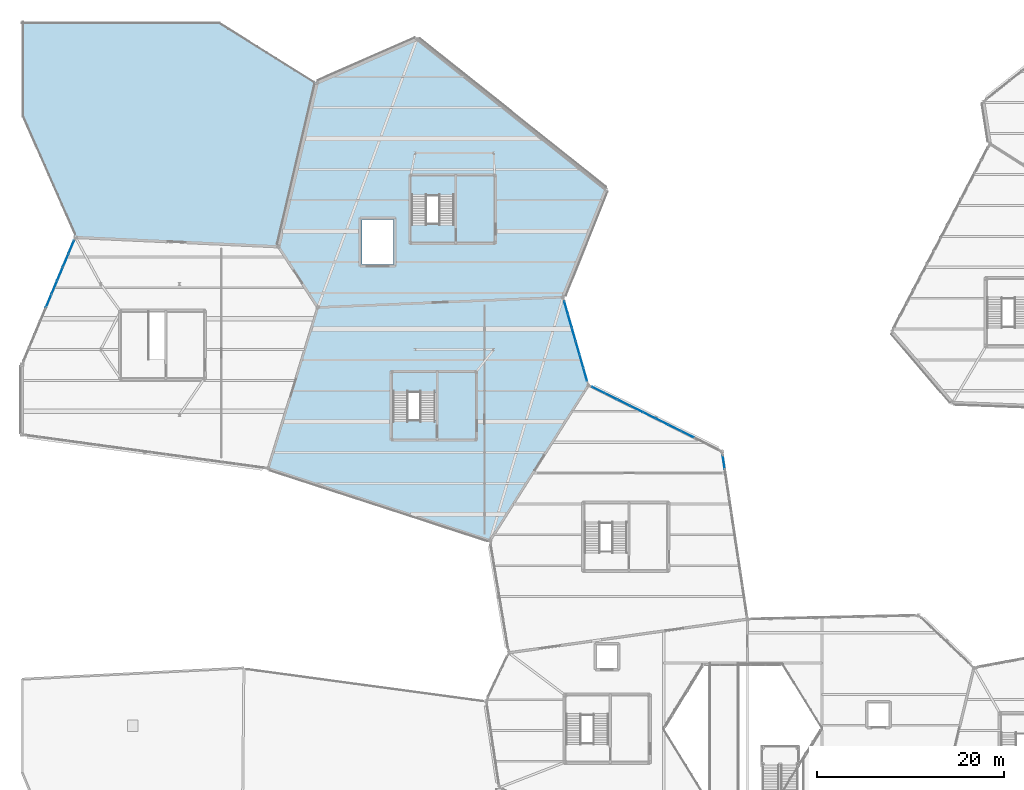
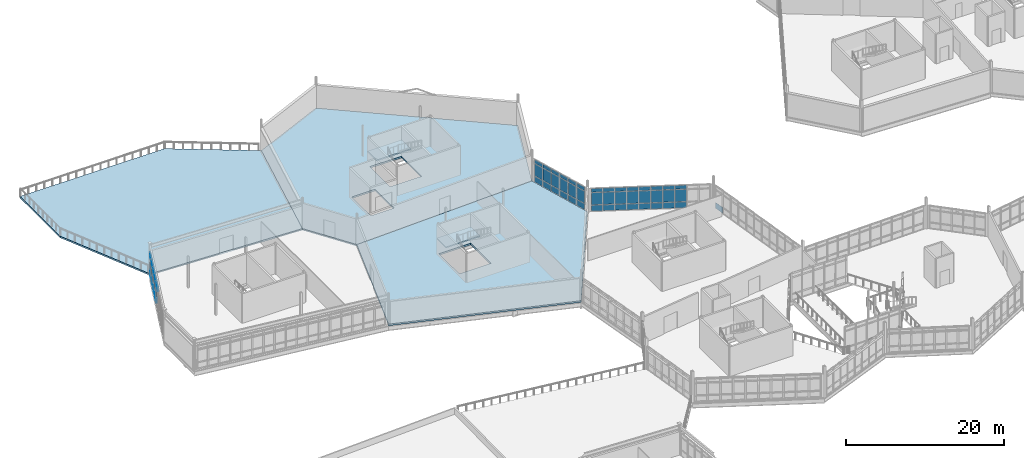
# One storey, part 77 of 114: 56 plates, 5 slabs, 6 elements without a shape of their own.
"""IFC4 building model written with IfcOpenShell, lengths in metres."""

from ifc_helpers import new_model, si_unit, direction, frame, origin, origin_2d, place, context, subcontext, project, spatial, polyline, rectangle, outline, extrude, material, layer, layer_set, type_object, element, aggregate, save


model = new_model("IFC4")

# Units and contexts
model_context = context("Model", 3, precision=1e-05, world=origin(), true_north=direction((0.0, 1.0)))
body_context = subcontext(model_context, "Body", "Model", "MODEL_VIEW")
ifc_project = project(units=[si_unit("LENGTHUNIT", "METRE"), si_unit("AREAUNIT", "SQUARE_METRE"), si_unit("VOLUMEUNIT", "CUBIC_METRE"), si_unit("PLANEANGLEUNIT", "RADIAN"), si_unit("MASSUNIT", "GRAM", prefix="KILO")], contexts=[model_context])

# Site, building, storey
site_placement = place(None, origin())
site = spatial("IfcSite", under=ifc_project, at=site_placement, CompositionType="ELEMENT")
building_placement = place(site_placement, origin())
building = spatial("IfcBuilding", under=site, at=building_placement, Name="Tameran Prism Museum", CompositionType="ELEMENT")
storey_placement = place(building_placement, frame((0.0, 0.0, 10.199951171875)))
storey = spatial("IfcBuildingStorey", under=building, at=storey_placement, Name="L02", CompositionType="ELEMENT", Elevation=10.199951171875)

# Curtain wall, plate
ifc_material_1 = material(Name="Anodised Aluminium 6063-T6 and Cyclone Solar Glass", Category="aluminium")
curtain_wall_type_1 = type_object("IfcCurtainWallType", Name="CW-FAC-1734x362", PredefinedType="USERDEFINED", material=ifc_material_1)
curtain_wall_1_placement = place(storey_placement, origin())
curtain_wall_1 = element("IfcCurtainWall", 1, at=curtain_wall_1_placement, inside=storey, type_object=curtain_wall_type_1, Name="Unitised Curtain Wall CW-114", ObjectType="UNITISED CURTAIN WALL", PredefinedType="USERDEFINED")
ifc_material_2 = material(Name="Low-E Laminated Solar Glass", Category="glass")
ifc_layer_1 = layer(ifc_material_2, 0.028076171875)
ifc_layer_set_1 = layer_set([ifc_layer_1])
plate_type_1 = type_object("IfcPlateType", Name="CW-PNL-G28", PredefinedType="CURTAIN_PANEL", material=ifc_layer_set_1)
plate_1_placement = place(storey_placement, frame((74.97265625, 64.954833984375, 0.080078125), z_axis=(0.0, 0.0, 1.0), x_axis=(0.149166532852, -0.988812088052, 0.0)))
plate_1 = element("IfcPlate", 2, at=plate_1_placement, type_object=plate_type_1, Name="CW-114 panel 1.1", PredefinedType="CURTAIN_PANEL", context=body_context, shape_type="SweptSolid", body=[
    extrude(rectangle(XDim=1.45654296875, YDim=0.028076171875, at=origin_2d()), origin(), (0.0, 0.0, 1.0), 0.8798828125),
])
aggregate(curtain_wall_1, [plate_1])

# Curtain wall, plates
ifc_material_3 = material(Name="Anodised Aluminium 6063-T6 and Cyclone Solar Glass", Category="aluminium")
curtain_wall_type_2 = type_object("IfcCurtainWallType", Name="CW-FAC-1520x362", PredefinedType="USERDEFINED", material=ifc_material_3)
curtain_wall_2_placement = place(storey_placement, origin())
curtain_wall_2 = element("IfcCurtainWall", 3, at=curtain_wall_2_placement, inside=storey, type_object=curtain_wall_type_2, Name="Unitised Curtain Wall CW-115", ObjectType="UNITISED CURTAIN WALL", PredefinedType="USERDEFINED")
ifc_material_4 = material(Name="Cyclone Laminated Solar Glass", Category="glass")
ifc_layer_2 = layer(ifc_material_4, 0.031982421875)
ifc_layer_set_2 = layer_set([ifc_layer_2])
plate_type_2 = type_object("IfcPlateType", Name="CW-PNL-G32", PredefinedType="CURTAIN_PANEL", material=ifc_layer_set_2)
plate_2_placement = place(storey_placement, frame((61.5625, 72.671630859375, 0.06494140625), z_axis=(0.0, 0.0, 1.0), x_axis=(0.895712459966, -0.444633769593, 0.0)))
plate_2 = element("IfcPlate", 4, at=plate_2_placement, type_object=plate_type_2, Name="CW-115 panel 1.1", PredefinedType="CURTAIN_PANEL", context=body_context, shape_type="SweptSolid", body=[
    extrude(rectangle(XDim=1.423095703125, YDim=0.031982421875, at=origin_2d()), origin(), (0.0, 0.0, 1.0), 0.902587890625),
])
plate_3_placement = place(storey_placement, frame((61.5625, 72.671630859375, 1.032470703125), z_axis=(0.0, 0.0, 1.0), x_axis=(0.895712459966, -0.444633769593, 0.0)))
plate_3 = element("IfcPlate", 5, at=plate_3_placement, type_object=plate_type_2, Name="CW-115 panel 1.2", PredefinedType="CURTAIN_PANEL", context=body_context, shape_type="SweptSolid", body=[
    extrude(rectangle(XDim=1.423095703125, YDim=0.031982421875, at=origin_2d()), origin(), (0.0, 0.0, 1.0), 1.875),
])
plate_4_placement = place(storey_placement, frame((61.5625, 72.671630859375, 2.97265625), z_axis=(0.0, 0.0, 1.0), x_axis=(0.895712459966, -0.444633769593, 0.0)))
plate_4 = element("IfcPlate", 6, at=plate_4_placement, type_object=plate_type_2, Name="CW-115 panel 1.3", PredefinedType="CURTAIN_PANEL", context=body_context, shape_type="SweptSolid", body=[
    extrude(rectangle(XDim=1.423095703125, YDim=0.031982421875, at=origin_2d()), origin(), (0.0, 0.0, 1.0), 0.58251953125),
])
plate_5_placement = place(storey_placement, frame((62.909912109375, 72.0029296875, 0.06494140625), z_axis=(0.0, 0.0, 1.0), x_axis=(0.895712459966, -0.444633769593, 0.0)))
plate_5 = element("IfcPlate", 7, at=plate_5_placement, type_object=plate_type_2, Name="CW-115 panel 2.1", PredefinedType="CURTAIN_PANEL", context=body_context, shape_type="SweptSolid", body=[
    extrude(rectangle(XDim=1.45556640625, YDim=0.031982421875, at=origin_2d()), origin(), (0.0, 0.0, 1.0), 0.902587890625),
])
plate_6_placement = place(storey_placement, frame((62.909912109375, 72.0029296875, 1.032470703125), z_axis=(0.0, 0.0, 1.0), x_axis=(0.895712459966, -0.444633769593, 0.0)))
plate_6 = element("IfcPlate", 8, at=plate_6_placement, type_object=plate_type_2, Name="CW-115 panel 2.2", PredefinedType="CURTAIN_PANEL", context=body_context, shape_type="SweptSolid", body=[
    extrude(rectangle(XDim=1.45556640625, YDim=0.031982421875, at=origin_2d()), origin(), (0.0, 0.0, 1.0), 1.875),
])
plate_7_placement = place(storey_placement, frame((62.909912109375, 72.0029296875, 2.97265625), z_axis=(0.0, 0.0, 1.0), x_axis=(0.895712459966, -0.444633769593, 0.0)))
plate_7 = element("IfcPlate", 9, at=plate_7_placement, type_object=plate_type_2, Name="CW-115 panel 2.3", PredefinedType="CURTAIN_PANEL", context=body_context, shape_type="SweptSolid", body=[
    extrude(rectangle(XDim=1.45556640625, YDim=0.031982421875, at=origin_2d()), origin(), (0.0, 0.0, 1.0), 0.58251953125),
])
plate_8_placement = place(storey_placement, frame((64.27197265625, 71.32666015625, 0.06494140625), z_axis=(0.0, 0.0, 1.0), x_axis=(0.895712459966, -0.444633769593, 0.0)))
plate_8 = element("IfcPlate", 10, at=plate_8_placement, type_object=plate_type_2, Name="CW-115 panel 3.1", PredefinedType="CURTAIN_PANEL", context=body_context, shape_type="SweptSolid", body=[
    extrude(rectangle(XDim=1.45556640625, YDim=0.031982421875, at=origin_2d()), origin(), (0.0, 0.0, 1.0), 0.902587890625),
])
plate_9_placement = place(storey_placement, frame((64.27197265625, 71.32666015625, 1.032470703125), z_axis=(0.0, 0.0, 1.0), x_axis=(0.895712459966, -0.444633769593, 0.0)))
plate_9 = element("IfcPlate", 11, at=plate_9_placement, type_object=plate_type_2, Name="CW-115 panel 3.2", PredefinedType="CURTAIN_PANEL", context=body_context, shape_type="SweptSolid", body=[
    extrude(rectangle(XDim=1.45556640625, YDim=0.031982421875, at=origin_2d()), origin(), (0.0, 0.0, 1.0), 1.875),
])
plate_10_placement = place(storey_placement, frame((64.27197265625, 71.32666015625, 2.97265625), z_axis=(0.0, 0.0, 1.0), x_axis=(0.895712459966, -0.444633769593, 0.0)))
plate_10 = element("IfcPlate", 12, at=plate_10_placement, type_object=plate_type_2, Name="CW-115 panel 3.3", PredefinedType="CURTAIN_PANEL", context=body_context, shape_type="SweptSolid", body=[
    extrude(rectangle(XDim=1.45556640625, YDim=0.031982421875, at=origin_2d()), origin(), (0.0, 0.0, 1.0), 0.58251953125),
])
plate_11_placement = place(storey_placement, frame((65.634033203125, 70.650634765625, 0.06494140625), z_axis=(0.0, 0.0, 1.0), x_axis=(0.895712459966, -0.444633769593, 0.0)))
plate_11 = element("IfcPlate", 13, at=plate_11_placement, type_object=plate_type_2, Name="CW-115 panel 4.1", PredefinedType="CURTAIN_PANEL", context=body_context, shape_type="SweptSolid", body=[
    extrude(rectangle(XDim=1.45556640625, YDim=0.031982421875, at=origin_2d()), origin(), (0.0, 0.0, 1.0), 0.902587890625),
])
plate_12_placement = place(storey_placement, frame((65.634033203125, 70.650634765625, 1.032470703125), z_axis=(0.0, 0.0, 1.0), x_axis=(0.895712459966, -0.444633769593, 0.0)))
plate_12 = element("IfcPlate", 14, at=plate_12_placement, type_object=plate_type_2, Name="CW-115 panel 4.2", PredefinedType="CURTAIN_PANEL", context=body_context, shape_type="SweptSolid", body=[
    extrude(rectangle(XDim=1.45556640625, YDim=0.031982421875, at=origin_2d()), origin(), (0.0, 0.0, 1.0), 1.875),
])
plate_13_placement = place(storey_placement, frame((65.634033203125, 70.650634765625, 2.97265625), z_axis=(0.0, 0.0, 1.0), x_axis=(0.895712459966, -0.444633769593, 0.0)))
plate_13 = element("IfcPlate", 15, at=plate_13_placement, type_object=plate_type_2, Name="CW-115 panel 4.3", PredefinedType="CURTAIN_PANEL", context=body_context, shape_type="SweptSolid", body=[
    extrude(rectangle(XDim=1.45556640625, YDim=0.031982421875, at=origin_2d()), origin(), (0.0, 0.0, 1.0), 0.58251953125),
])
plate_14_placement = place(storey_placement, frame((66.99609375, 69.974609375, 0.06494140625), z_axis=(0.0, 0.0, 1.0), x_axis=(0.895712459966, -0.444633769593, 0.0)))
plate_14 = element("IfcPlate", 16, at=plate_14_placement, type_object=plate_type_2, Name="CW-115 panel 5.1", PredefinedType="CURTAIN_PANEL", context=body_context, shape_type="SweptSolid", body=[
    extrude(rectangle(XDim=1.45556640625, YDim=0.031982421875, at=origin_2d()), origin(), (0.0, 0.0, 1.0), 0.902587890625),
])
plate_15_placement = place(storey_placement, frame((66.99609375, 69.974609375, 1.032470703125), z_axis=(0.0, 0.0, 1.0), x_axis=(0.895712459966, -0.444633769593, 0.0)))
plate_15 = element("IfcPlate", 17, at=plate_15_placement, type_object=plate_type_2, Name="CW-115 panel 5.2", PredefinedType="CURTAIN_PANEL", context=body_context, shape_type="SweptSolid", body=[
    extrude(rectangle(XDim=1.45556640625, YDim=0.031982421875, at=origin_2d()), origin(), (0.0, 0.0, 1.0), 1.875),
])
plate_16_placement = place(storey_placement, frame((66.99609375, 69.974609375, 2.97265625), z_axis=(0.0, 0.0, 1.0), x_axis=(0.895712459966, -0.444633769593, 0.0)))
plate_16 = element("IfcPlate", 18, at=plate_16_placement, type_object=plate_type_2, Name="CW-115 panel 5.3", PredefinedType="CURTAIN_PANEL", context=body_context, shape_type="SweptSolid", body=[
    extrude(rectangle(XDim=1.45556640625, YDim=0.031982421875, at=origin_2d()), origin(), (0.0, 0.0, 1.0), 0.58251953125),
])
plate_17_placement = place(storey_placement, frame((68.35791015625, 69.29833984375, 0.06494140625), z_axis=(0.0, 0.0, 1.0), x_axis=(0.895712459966, -0.444633769593, 0.0)))
plate_17 = element("IfcPlate", 19, at=plate_17_placement, type_object=plate_type_2, Name="CW-115 panel 6.1", PredefinedType="CURTAIN_PANEL", context=body_context, shape_type="SweptSolid", body=[
    extrude(rectangle(XDim=1.45556640625, YDim=0.031982421875, at=origin_2d()), origin(), (0.0, 0.0, 1.0), 0.902587890625),
])
plate_18_placement = place(storey_placement, frame((68.35791015625, 69.29833984375, 1.032470703125), z_axis=(0.0, 0.0, 1.0), x_axis=(0.895712459966, -0.444633769593, 0.0)))
plate_18 = element("IfcPlate", 20, at=plate_18_placement, type_object=plate_type_2, Name="CW-115 panel 6.2", PredefinedType="CURTAIN_PANEL", context=body_context, shape_type="SweptSolid", body=[
    extrude(rectangle(XDim=1.45556640625, YDim=0.031982421875, at=origin_2d()), origin(), (0.0, 0.0, 1.0), 1.875),
])
plate_19_placement = place(storey_placement, frame((68.35791015625, 69.29833984375, 2.97265625), z_axis=(0.0, 0.0, 1.0), x_axis=(0.895712459966, -0.444633769593, 0.0)))
plate_19 = element("IfcPlate", 21, at=plate_19_placement, type_object=plate_type_2, Name="CW-115 panel 6.3", PredefinedType="CURTAIN_PANEL", context=body_context, shape_type="SweptSolid", body=[
    extrude(rectangle(XDim=1.45556640625, YDim=0.031982421875, at=origin_2d()), origin(), (0.0, 0.0, 1.0), 0.58251953125),
])
plate_20_placement = place(storey_placement, frame((69.719970703125, 68.622314453125, 0.06494140625), z_axis=(0.0, 0.0, 1.0), x_axis=(0.895712459966, -0.444633769593, 0.0)))
plate_20 = element("IfcPlate", 22, at=plate_20_placement, type_object=plate_type_2, Name="CW-115 panel 7.1", PredefinedType="CURTAIN_PANEL", context=body_context, shape_type="SweptSolid", body=[
    extrude(rectangle(XDim=1.45556640625, YDim=0.031982421875, at=origin_2d()), origin(), (0.0, 0.0, 1.0), 0.902587890625),
])
plate_21_placement = place(storey_placement, frame((69.719970703125, 68.622314453125, 1.032470703125), z_axis=(0.0, 0.0, 1.0), x_axis=(0.895712459966, -0.444633769593, 0.0)))
plate_21 = element("IfcPlate", 23, at=plate_21_placement, type_object=plate_type_2, Name="CW-115 panel 7.2", PredefinedType="CURTAIN_PANEL", context=body_context, shape_type="SweptSolid", body=[
    extrude(rectangle(XDim=1.45556640625, YDim=0.031982421875, at=origin_2d()), origin(), (0.0, 0.0, 1.0), 1.875),
])
plate_22_placement = place(storey_placement, frame((69.719970703125, 68.622314453125, 2.97265625), z_axis=(0.0, 0.0, 1.0), x_axis=(0.895712459966, -0.444633769593, 0.0)))
plate_22 = element("IfcPlate", 24, at=plate_22_placement, type_object=plate_type_2, Name="CW-115 panel 7.3", PredefinedType="CURTAIN_PANEL", context=body_context, shape_type="SweptSolid", body=[
    extrude(rectangle(XDim=1.45556640625, YDim=0.031982421875, at=origin_2d()), origin(), (0.0, 0.0, 1.0), 0.58251953125),
])
plate_23_placement = place(storey_placement, frame((71.08203125, 67.9462890625, 0.06494140625), z_axis=(0.0, 0.0, 1.0), x_axis=(0.895712459966, -0.444633769593, 0.0)))
plate_23 = element("IfcPlate", 25, at=plate_23_placement, type_object=plate_type_2, Name="CW-115 panel 8.1", PredefinedType="CURTAIN_PANEL", context=body_context, shape_type="SweptSolid", body=[
    extrude(rectangle(XDim=1.45556640625, YDim=0.031982421875, at=origin_2d()), origin(), (0.0, 0.0, 1.0), 0.902587890625),
])
plate_24_placement = place(storey_placement, frame((71.08203125, 67.9462890625, 1.032470703125), z_axis=(0.0, 0.0, 1.0), x_axis=(0.895712459966, -0.444633769593, 0.0)))
plate_24 = element("IfcPlate", 26, at=plate_24_placement, type_object=plate_type_2, Name="CW-115 panel 8.2", PredefinedType="CURTAIN_PANEL", context=body_context, shape_type="SweptSolid", body=[
    extrude(rectangle(XDim=1.45556640625, YDim=0.031982421875, at=origin_2d()), origin(), (0.0, 0.0, 1.0), 1.875),
])
plate_25_placement = place(storey_placement, frame((71.08203125, 67.9462890625, 2.97265625), z_axis=(0.0, 0.0, 1.0), x_axis=(0.895712459966, -0.444633769593, 0.0)))
plate_25 = element("IfcPlate", 27, at=plate_25_placement, type_object=plate_type_2, Name="CW-115 panel 8.3", PredefinedType="CURTAIN_PANEL", context=body_context, shape_type="SweptSolid", body=[
    extrude(rectangle(XDim=1.45556640625, YDim=0.031982421875, at=origin_2d()), origin(), (0.0, 0.0, 1.0), 0.58251953125),
])
aggregate(curtain_wall_2, [plate_2, plate_3, plate_4, plate_5, plate_6, plate_7, plate_8, plate_9, plate_10, plate_11, plate_12, plate_13, plate_14, plate_15, plate_16, plate_17, plate_18, plate_19, plate_20, plate_21, plate_22, plate_23, plate_24, plate_25])

ifc_material_5 = material(Name="Anodised Aluminium 6063-T6 and Cyclone Solar Glass", Category="aluminium")
curtain_wall_type_3 = type_object("IfcCurtainWallType", Name="CW-FAC-896x362", PredefinedType="USERDEFINED", material=ifc_material_5)
curtain_wall_3_placement = place(storey_placement, origin())
curtain_wall_3 = element("IfcCurtainWall", 28, at=curtain_wall_3_placement, inside=storey, type_object=curtain_wall_type_3, Name="Unitised Curtain Wall CW-124", ObjectType="UNITISED CURTAIN WALL", PredefinedType="USERDEFINED")
plate_26_placement = place(storey_placement, frame((58.124755859375, 81.471435546875, 0.070068359375), z_axis=(0.0, 0.0, 1.0), x_axis=(0.275900197941, -0.961186288279, 0.0)))
plate_26 = element("IfcPlate", 29, at=plate_26_placement, type_object=plate_type_2, Name="CW-124 panel 1.1", PredefinedType="CURTAIN_PANEL", context=body_context, shape_type="SweptSolid", body=[
    extrude(rectangle(XDim=1.38818359375, YDim=0.031982421875, at=origin_2d()), origin(), (0.0, 0.0, 1.0), 0.89501953125),
])
plate_27_placement = place(storey_placement, frame((58.124755859375, 81.471435546875, 1.034912109375), z_axis=(0.0, 0.0, 1.0), x_axis=(0.275900197941, -0.961186288279, 0.0)))
plate_27 = element("IfcPlate", 30, at=plate_27_placement, type_object=plate_type_2, Name="CW-124 panel 1.2", PredefinedType="CURTAIN_PANEL", context=body_context, shape_type="SweptSolid", body=[
    extrude(rectangle(XDim=1.38818359375, YDim=0.031982421875, at=origin_2d()), origin(), (0.0, 0.0, 1.0), 1.8701171875),
])
plate_28_placement = place(storey_placement, frame((58.124755859375, 81.471435546875, 2.97509765625), z_axis=(0.0, 0.0, 1.0), x_axis=(0.275900197941, -0.961186288279, 0.0)))
plate_28 = element("IfcPlate", 31, at=plate_28_placement, type_object=plate_type_2, Name="CW-124 panel 1.3", PredefinedType="CURTAIN_PANEL", context=body_context, shape_type="SweptSolid", body=[
    extrude(rectangle(XDim=1.38818359375, YDim=0.031982421875, at=origin_2d()), origin(), (0.0, 0.0, 1.0), 0.574951171875),
])
plate_29_placement = place(storey_placement, frame((58.531982421875, 80.052978515625, 0.070068359375), z_axis=(0.0, 0.0, 1.0), x_axis=(0.275900197941, -0.961186288279, 0.0)))
plate_29 = element("IfcPlate", 32, at=plate_29_placement, type_object=plate_type_2, Name="CW-124 panel 2.1", PredefinedType="CURTAIN_PANEL", context=body_context, shape_type="SweptSolid", body=[
    extrude(rectangle(XDim=1.42333984375, YDim=0.031982421875, at=origin_2d()), origin(), (0.0, 0.0, 1.0), 0.89501953125),
])
plate_30_placement = place(storey_placement, frame((58.531982421875, 80.052978515625, 1.034912109375), z_axis=(0.0, 0.0, 1.0), x_axis=(0.275900197941, -0.961186288279, 0.0)))
plate_30 = element("IfcPlate", 33, at=plate_30_placement, type_object=plate_type_2, Name="CW-124 panel 2.2", PredefinedType="CURTAIN_PANEL", context=body_context, shape_type="SweptSolid", body=[
    extrude(rectangle(XDim=1.42333984375, YDim=0.031982421875, at=origin_2d()), origin(), (0.0, 0.0, 1.0), 1.8701171875),
])
plate_31_placement = place(storey_placement, frame((58.531982421875, 80.052978515625, 2.97509765625), z_axis=(0.0, 0.0, 1.0), x_axis=(0.275900197941, -0.961186288279, 0.0)))
plate_31 = element("IfcPlate", 34, at=plate_31_placement, type_object=plate_type_2, Name="CW-124 panel 2.3", PredefinedType="CURTAIN_PANEL", context=body_context, shape_type="SweptSolid", body=[
    extrude(rectangle(XDim=1.42333984375, YDim=0.031982421875, at=origin_2d()), origin(), (0.0, 0.0, 1.0), 0.574951171875),
])
plate_32_placement = place(storey_placement, frame((58.944091796875, 78.61767578125, 0.070068359375), z_axis=(0.0, 0.0, 1.0), x_axis=(0.275900197941, -0.961186288279, 0.0)))
plate_32 = element("IfcPlate", 35, at=plate_32_placement, type_object=plate_type_2, Name="CW-124 panel 3.1", PredefinedType="CURTAIN_PANEL", context=body_context, shape_type="SweptSolid", body=[
    extrude(rectangle(XDim=1.42333984375, YDim=0.031982421875, at=origin_2d()), origin(), (0.0, 0.0, 1.0), 0.89501953125),
])
plate_33_placement = place(storey_placement, frame((58.944091796875, 78.61767578125, 1.034912109375), z_axis=(0.0, 0.0, 1.0), x_axis=(0.275900197941, -0.961186288279, 0.0)))
plate_33 = element("IfcPlate", 36, at=plate_33_placement, type_object=plate_type_2, Name="CW-124 panel 3.2", PredefinedType="CURTAIN_PANEL", context=body_context, shape_type="SweptSolid", body=[
    extrude(rectangle(XDim=1.42333984375, YDim=0.031982421875, at=origin_2d()), origin(), (0.0, 0.0, 1.0), 1.8701171875),
])
plate_34_placement = place(storey_placement, frame((58.944091796875, 78.61767578125, 2.97509765625), z_axis=(0.0, 0.0, 1.0), x_axis=(0.275900197941, -0.961186288279, 0.0)))
plate_34 = element("IfcPlate", 37, at=plate_34_placement, type_object=plate_type_2, Name="CW-124 panel 3.3", PredefinedType="CURTAIN_PANEL", context=body_context, shape_type="SweptSolid", body=[
    extrude(rectangle(XDim=1.42333984375, YDim=0.031982421875, at=origin_2d()), origin(), (0.0, 0.0, 1.0), 0.574951171875),
])
plate_35_placement = place(storey_placement, frame((59.35595703125, 77.182373046875, 0.070068359375), z_axis=(0.0, 0.0, 1.0), x_axis=(0.275900197941, -0.961186288279, 0.0)))
plate_35 = element("IfcPlate", 38, at=plate_35_placement, type_object=plate_type_2, Name="CW-124 panel 4.1", PredefinedType="CURTAIN_PANEL", context=body_context, shape_type="SweptSolid", body=[
    extrude(rectangle(XDim=1.42333984375, YDim=0.031982421875, at=origin_2d()), origin(), (0.0, 0.0, 1.0), 0.89501953125),
])
plate_36_placement = place(storey_placement, frame((59.35595703125, 77.182373046875, 1.034912109375), z_axis=(0.0, 0.0, 1.0), x_axis=(0.275900197941, -0.961186288279, 0.0)))
plate_36 = element("IfcPlate", 39, at=plate_36_placement, type_object=plate_type_2, Name="CW-124 panel 4.2", PredefinedType="CURTAIN_PANEL", context=body_context, shape_type="SweptSolid", body=[
    extrude(rectangle(XDim=1.42333984375, YDim=0.031982421875, at=origin_2d()), origin(), (0.0, 0.0, 1.0), 1.8701171875),
])
plate_37_placement = place(storey_placement, frame((59.35595703125, 77.182373046875, 2.97509765625), z_axis=(0.0, 0.0, 1.0), x_axis=(0.275900197941, -0.961186288279, 0.0)))
plate_37 = element("IfcPlate", 40, at=plate_37_placement, type_object=plate_type_2, Name="CW-124 panel 4.3", PredefinedType="CURTAIN_PANEL", context=body_context, shape_type="SweptSolid", body=[
    extrude(rectangle(XDim=1.42333984375, YDim=0.031982421875, at=origin_2d()), origin(), (0.0, 0.0, 1.0), 0.574951171875),
])
plate_38_placement = place(storey_placement, frame((59.76806640625, 75.7470703125, 0.070068359375), z_axis=(0.0, 0.0, 1.0), x_axis=(0.275900197941, -0.961186288279, 0.0)))
plate_38 = element("IfcPlate", 41, at=plate_38_placement, type_object=plate_type_2, Name="CW-124 panel 5.1", PredefinedType="CURTAIN_PANEL", context=body_context, shape_type="SweptSolid", body=[
    extrude(rectangle(XDim=1.42333984375, YDim=0.031982421875, at=origin_2d()), origin(), (0.0, 0.0, 1.0), 0.89501953125),
])
plate_39_placement = place(storey_placement, frame((59.76806640625, 75.7470703125, 1.034912109375), z_axis=(0.0, 0.0, 1.0), x_axis=(0.275900197941, -0.961186288279, 0.0)))
plate_39 = element("IfcPlate", 42, at=plate_39_placement, type_object=plate_type_2, Name="CW-124 panel 5.2", PredefinedType="CURTAIN_PANEL", context=body_context, shape_type="SweptSolid", body=[
    extrude(rectangle(XDim=1.42333984375, YDim=0.031982421875, at=origin_2d()), origin(), (0.0, 0.0, 1.0), 1.8701171875),
])
plate_40_placement = place(storey_placement, frame((59.76806640625, 75.7470703125, 2.97509765625), z_axis=(0.0, 0.0, 1.0), x_axis=(0.275900197941, -0.961186288279, 0.0)))
plate_40 = element("IfcPlate", 43, at=plate_40_placement, type_object=plate_type_2, Name="CW-124 panel 5.3", PredefinedType="CURTAIN_PANEL", context=body_context, shape_type="SweptSolid", body=[
    extrude(rectangle(XDim=1.42333984375, YDim=0.031982421875, at=origin_2d()), origin(), (0.0, 0.0, 1.0), 0.574951171875),
])
plate_41_placement = place(storey_placement, frame((60.17529296875, 74.328369140625, 0.070068359375), z_axis=(0.0, 0.0, 1.0), x_axis=(0.275900197941, -0.961186288279, 0.0)))
plate_41 = element("IfcPlate", 44, at=plate_41_placement, type_object=plate_type_2, Name="CW-124 panel 6.1", PredefinedType="CURTAIN_PANEL", context=body_context, shape_type="SweptSolid", body=[
    extrude(rectangle(XDim=1.38818359375, YDim=0.031982421875, at=origin_2d()), origin(), (0.0, 0.0, 1.0), 0.89501953125),
])
plate_42_placement = place(storey_placement, frame((60.17529296875, 74.328369140625, 1.034912109375), z_axis=(0.0, 0.0, 1.0), x_axis=(0.275900197941, -0.961186288279, 0.0)))
plate_42 = element("IfcPlate", 45, at=plate_42_placement, type_object=plate_type_2, Name="CW-124 panel 6.2", PredefinedType="CURTAIN_PANEL", context=body_context, shape_type="SweptSolid", body=[
    extrude(rectangle(XDim=1.38818359375, YDim=0.031982421875, at=origin_2d()), origin(), (0.0, 0.0, 1.0), 1.8701171875),
])
plate_43_placement = place(storey_placement, frame((60.17529296875, 74.328369140625, 2.97509765625), z_axis=(0.0, 0.0, 1.0), x_axis=(0.275900197941, -0.961186288279, 0.0)))
plate_43 = element("IfcPlate", 46, at=plate_43_placement, type_object=plate_type_2, Name="CW-124 panel 6.3", PredefinedType="CURTAIN_PANEL", context=body_context, shape_type="SweptSolid", body=[
    extrude(rectangle(XDim=1.38818359375, YDim=0.031982421875, at=origin_2d()), origin(), (0.0, 0.0, 1.0), 0.574951171875),
])
aggregate(curtain_wall_3, [plate_26, plate_27, plate_28, plate_29, plate_30, plate_31, plate_32, plate_33, plate_34, plate_35, plate_36, plate_37, plate_38, plate_39, plate_40, plate_41, plate_42, plate_43])

ifc_material_6 = material(Name="Anodised Aluminium 6063-T6 and Cyclone Solar Glass", Category="aluminium")
curtain_wall_type_4 = type_object("IfcCurtainWallType", Name="CW-FAC-1405x362", PredefinedType="USERDEFINED", material=ifc_material_6)
curtain_wall_4_placement = place(storey_placement, origin())
curtain_wall_4 = element("IfcCurtainWall", 47, at=curtain_wall_4_placement, inside=storey, type_object=curtain_wall_type_4, Name="Unitised Curtain Wall CW-126", ObjectType="UNITISED CURTAIN WALL", PredefinedType="USERDEFINED")
plate_44_placement = place(storey_placement, frame((2.85009765625, 82.199951171875, 2.97998046875), z_axis=(0.0, 0.0, 1.0), x_axis=(0.386586046891, 0.922253342824, 0.0)))
plate_44 = element("IfcPlate", 48, at=plate_44_placement, type_object=plate_type_2, Name="CW-126 panel 5.3", PredefinedType="CURTAIN_PANEL", context=body_context, shape_type="SweptSolid", body=[
    extrude(rectangle(XDim=1.480712890625, YDim=0.031982421875, at=origin_2d()), origin(), (0.0, 0.0, 1.0), 0.56005859375),
])
plate_45_placement = place(storey_placement, frame((3.453369140625, 83.639404296875, 0.080078125), z_axis=(0.0, 0.0, 1.0), x_axis=(0.386586046891, 0.922253342824, 0.0)))
plate_45 = element("IfcPlate", 49, at=plate_45_placement, type_object=plate_type_2, Name="CW-126 panel 6.1", PredefinedType="CURTAIN_PANEL", context=body_context, shape_type="SweptSolid", body=[
    extrude(rectangle(XDim=1.480712890625, YDim=0.031982421875, at=origin_2d()), origin(), (0.0, 0.0, 1.0), 0.8798828125),
])
plate_46_placement = place(storey_placement, frame((3.453369140625, 83.639404296875, 1.0400390625), z_axis=(0.0, 0.0, 1.0), x_axis=(0.386586046891, 0.922253342824, 0.0)))
plate_46 = element("IfcPlate", 50, at=plate_46_placement, type_object=plate_type_2, Name="CW-126 panel 6.2", PredefinedType="CURTAIN_PANEL", context=body_context, shape_type="SweptSolid", body=[
    extrude(rectangle(XDim=1.480712890625, YDim=0.031982421875, at=origin_2d()), origin(), (0.0, 0.0, 1.0), 1.860107421875),
])
plate_47_placement = place(storey_placement, frame((3.453369140625, 83.639404296875, 2.97998046875), z_axis=(0.0, 0.0, 1.0), x_axis=(0.386586046891, 0.922253342824, 0.0)))
plate_47 = element("IfcPlate", 51, at=plate_47_placement, type_object=plate_type_2, Name="CW-126 panel 6.3", PredefinedType="CURTAIN_PANEL", context=body_context, shape_type="SweptSolid", body=[
    extrude(rectangle(XDim=1.480712890625, YDim=0.031982421875, at=origin_2d()), origin(), (0.0, 0.0, 1.0), 0.56005859375),
])
plate_48_placement = place(storey_placement, frame((4.056640625, 85.07861328125, 0.080078125), z_axis=(0.0, 0.0, 1.0), x_axis=(0.386586046891, 0.922253342824, 0.0)))
plate_48 = element("IfcPlate", 52, at=plate_48_placement, type_object=plate_type_2, Name="CW-126 panel 7.1", PredefinedType="CURTAIN_PANEL", context=body_context, shape_type="SweptSolid", body=[
    extrude(rectangle(XDim=1.480712890625, YDim=0.031982421875, at=origin_2d()), origin(), (0.0, 0.0, 1.0), 0.8798828125),
])
plate_49_placement = place(storey_placement, frame((4.056640625, 85.07861328125, 1.0400390625), z_axis=(0.0, 0.0, 1.0), x_axis=(0.386586046891, 0.922253342824, 0.0)))
plate_49 = element("IfcPlate", 53, at=plate_49_placement, type_object=plate_type_2, Name="CW-126 panel 7.2", PredefinedType="CURTAIN_PANEL", context=body_context, shape_type="SweptSolid", body=[
    extrude(rectangle(XDim=1.480712890625, YDim=0.031982421875, at=origin_2d()), origin(), (0.0, 0.0, 1.0), 1.860107421875),
])
plate_50_placement = place(storey_placement, frame((4.056640625, 85.07861328125, 2.97998046875), z_axis=(0.0, 0.0, 1.0), x_axis=(0.386586046891, 0.922253342824, 0.0)))
plate_50 = element("IfcPlate", 54, at=plate_50_placement, type_object=plate_type_2, Name="CW-126 panel 7.3", PredefinedType="CURTAIN_PANEL", context=body_context, shape_type="SweptSolid", body=[
    extrude(rectangle(XDim=1.480712890625, YDim=0.031982421875, at=origin_2d()), origin(), (0.0, 0.0, 1.0), 0.56005859375),
])
plate_51_placement = place(storey_placement, frame((4.659912109375, 86.51806640625, 0.080078125), z_axis=(0.0, 0.0, 1.0), x_axis=(0.386586046891, 0.922253342824, 0.0)))
plate_51 = element("IfcPlate", 55, at=plate_51_placement, type_object=plate_type_2, Name="CW-126 panel 8.1", PredefinedType="CURTAIN_PANEL", context=body_context, shape_type="SweptSolid", body=[
    extrude(rectangle(XDim=1.480712890625, YDim=0.031982421875, at=origin_2d()), origin(), (0.0, 0.0, 1.0), 0.8798828125),
])
plate_52_placement = place(storey_placement, frame((4.659912109375, 86.51806640625, 1.0400390625), z_axis=(0.0, 0.0, 1.0), x_axis=(0.386586046891, 0.922253342824, 0.0)))
plate_52 = element("IfcPlate", 56, at=plate_52_placement, type_object=plate_type_2, Name="CW-126 panel 8.2", PredefinedType="CURTAIN_PANEL", context=body_context, shape_type="SweptSolid", body=[
    extrude(rectangle(XDim=1.480712890625, YDim=0.031982421875, at=origin_2d()), origin(), (0.0, 0.0, 1.0), 1.860107421875),
])
plate_53_placement = place(storey_placement, frame((4.659912109375, 86.51806640625, 2.97998046875), z_axis=(0.0, 0.0, 1.0), x_axis=(0.386586046891, 0.922253342824, 0.0)))
plate_53 = element("IfcPlate", 57, at=plate_53_placement, type_object=plate_type_2, Name="CW-126 panel 8.3", PredefinedType="CURTAIN_PANEL", context=body_context, shape_type="SweptSolid", body=[
    extrude(rectangle(XDim=1.480712890625, YDim=0.031982421875, at=origin_2d()), origin(), (0.0, 0.0, 1.0), 0.56005859375),
])
plate_54_placement = place(storey_placement, frame((5.255615234375, 87.93896484375, 0.080078125), z_axis=(0.0, 0.0, 1.0), x_axis=(0.386586046891, 0.922253342824, 0.0)))
plate_54 = element("IfcPlate", 58, at=plate_54_placement, type_object=plate_type_2, Name="CW-126 panel 9.1", PredefinedType="CURTAIN_PANEL", context=body_context, shape_type="SweptSolid", body=[
    extrude(rectangle(XDim=1.440673828125, YDim=0.031982421875, at=origin_2d()), origin(), (0.0, 0.0, 1.0), 0.8798828125),
])
plate_55_placement = place(storey_placement, frame((5.255615234375, 87.93896484375, 1.0400390625), z_axis=(0.0, 0.0, 1.0), x_axis=(0.386586046891, 0.922253342824, 0.0)))
plate_55 = element("IfcPlate", 59, at=plate_55_placement, type_object=plate_type_2, Name="CW-126 panel 9.2", PredefinedType="CURTAIN_PANEL", context=body_context, shape_type="SweptSolid", body=[
    extrude(rectangle(XDim=1.440673828125, YDim=0.031982421875, at=origin_2d()), origin(), (0.0, 0.0, 1.0), 1.860107421875),
])
plate_56_placement = place(storey_placement, frame((5.255615234375, 87.93896484375, 2.97998046875), z_axis=(0.0, 0.0, 1.0), x_axis=(0.386586046891, 0.922253342824, 0.0)))
plate_56 = element("IfcPlate", 60, at=plate_56_placement, type_object=plate_type_2, Name="CW-126 panel 9.3", PredefinedType="CURTAIN_PANEL", context=body_context, shape_type="SweptSolid", body=[
    extrude(rectangle(XDim=1.440673828125, YDim=0.031982421875, at=origin_2d()), origin(), (0.0, 0.0, 1.0), 0.56005859375),
])
aggregate(curtain_wall_4, [plate_44, plate_45, plate_46, plate_47, plate_48, plate_49, plate_50, plate_51, plate_52, plate_53, plate_54, plate_55, plate_56])

# Slabs
ifc_material_7 = material(Name="Concrete N40 (40 MPa)", Category="concrete")
ifc_layer_3 = layer(ifc_material_7, 0.260009765625)
ifc_layer_set_3 = layer_set([ifc_layer_3])
slab_type_1 = type_object("IfcSlabType", Name="SL-FLR-260", PredefinedType="FLOOR", material=ifc_layer_set_3)
slab_1_placement = place(storey_placement, frame((0.0, 0.0, -0.260009765625)))
element("IfcSlab", 61, at=slab_1_placement, inside=storey, type_object=slab_type_1, Name="Floor Slab FS-P15-L02", PredefinedType="FLOOR", context=body_context, shape_type="SweptSolid", body=[
    extrude(outline(polyline([(26.300048828125, 64.300048828125), (31.60009765625, 81.5), (57.800048828125, 82.60009765625), (60.5, 73.199951171875), (50.0, 56.60009765625), (26.300048828125, 64.300048828125)]), holes=[polyline([(44.219970703125, 74.550048828125), (39.60009765625, 74.550048828125), (39.60009765625, 69.43994140625), (44.219970703125, 69.43994140625), (44.219970703125, 74.550048828125)])]), origin(), (0.0, 0.0, 1.0), 0.260009765625),
])
slab_2_placement = place(storey_placement, frame((0.0, 0.0, -0.260009765625)))
element("IfcSlab", 62, at=slab_2_placement, inside=storey, type_object=slab_type_1, Name="Floor Slab FS-P16-L02", PredefinedType="FLOOR", context=body_context, shape_type="SweptSolid", body=[
    extrude(outline(polyline([(27.39990234375, 88.0), (31.5, 105.5), (42.199951171875, 110.199951171875), (62.39990234375, 94.10009765625), (57.800048828125, 82.60009765625), (31.60009765625, 81.5), (27.39990234375, 88.0)]), holes=[polyline([(39.699951171875, 86.10009765625), (39.699951171875, 90.89990234375), (36.300048828125, 90.89990234375), (36.300048828125, 86.10009765625), (39.699951171875, 86.10009765625)]), polyline([(46.219970703125, 90.43994140625), (46.219970703125, 95.550048828125), (41.60009765625, 95.550048828125), (41.60009765625, 90.43994140625), (46.219970703125, 90.43994140625)])]), origin(), (0.0, 0.0, 1.0), 0.260009765625),
])

# Stair, slab
ifc_material_8 = material(Name="Concrete N40 (40 MPa)", Category="concrete")
stair_type = type_object("IfcStairType", Name="ST-CORE-48", PredefinedType="HALF_TURN_STAIR", material=ifc_material_8)
stair_1_placement = place(storey_placement, origin())
stair_1 = element("IfcStair", 63, at=stair_1_placement, inside=storey, type_object=stair_type, Name="Fire-Isolated Stair ST-05-L02", PredefinedType="HALF_TURN_STAIR")
ifc_material_9 = material(Name="Concrete N40 (40 MPa)", Category="concrete")
ifc_layer_4 = layer(ifc_material_9, 0.18505859375)
ifc_layer_set_4 = layer_set([ifc_layer_4])
slab_type_2 = type_object("IfcSlabType", Name="SL-LND-185", PredefinedType="LANDING", material=ifc_layer_set_4)
slab_3_placement = place(storey_placement, frame((0.0, 0.0, 2.215087890625)))
slab_3 = element("IfcSlab", 64, at=slab_3_placement, type_object=slab_type_2, Name="ST-05-L02 landing 1", PredefinedType="LANDING", context=body_context, shape_type="SweptSolid", body=[
    extrude(outline(polyline([(39.3798828125, 72.4150390625), (44.3701171875, 72.4150390625), (44.3701171875, 74.719970703125), (39.3798828125, 74.719970703125), (39.3798828125, 72.4150390625)])), origin(), (0.0, 0.0, 1.0), 0.18505859375),
])
aggregate(stair_1, [slab_3])

stair_2_placement = place(storey_placement, origin())
stair_2 = element("IfcStair", 65, at=stair_2_placement, inside=storey, type_object=stair_type, Name="Fire-Isolated Stair ST-14-L02", PredefinedType="HALF_TURN_STAIR")
slab_4_placement = place(storey_placement, frame((0.0, 0.0, 2.215087890625)))
slab_4 = element("IfcSlab", 66, at=slab_4_placement, type_object=slab_type_2, Name="ST-14-L02 landing 1", PredefinedType="LANDING", context=body_context, shape_type="SweptSolid", body=[
    extrude(outline(polyline([(41.3798828125, 93.4150390625), (46.3701171875, 93.4150390625), (46.3701171875, 95.719970703125), (41.3798828125, 95.719970703125), (41.3798828125, 93.4150390625)])), origin(), (0.0, 0.0, 1.0), 0.18505859375),
])
aggregate(stair_2, [slab_4])

# Slab
ifc_material_10 = material(Name="Concrete N40 (40 MPa)", Category="concrete")
ifc_layer_5 = layer(ifc_material_10, 0.25)
ifc_layer_set_5 = layer_set([ifc_layer_5])
slab_type_3 = type_object("IfcSlabType", Name="SL-TER-250", PredefinedType="USERDEFINED", material=ifc_layer_set_5)
slab_5_placement = place(storey_placement, frame((0.0, 0.0, -0.25)))
element("IfcSlab", 67, at=slab_5_placement, inside=storey, type_object=slab_type_3, Name="Planted Roof Terrace TR-P18-L02", ObjectType="TERRACE", PredefinedType="USERDEFINED", context=body_context, shape_type="SweptSolid", body=[
    extrude(outline(polyline([(5.699951171875, 89.0), (27.39990234375, 88.0), (31.5, 105.5), (21.10009765625, 112.0), (0.0, 112.0), (0.0, 101.89990234375), (5.699951171875, 89.0)])), origin(), (0.0, 0.0, 1.0), 0.25),
])

save(model, "model.ifc")
